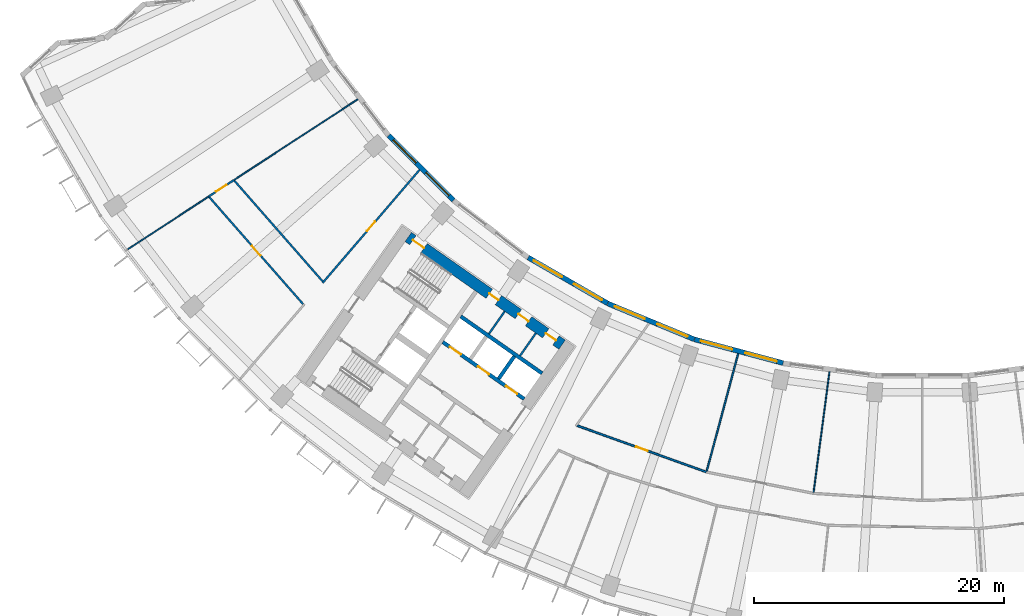
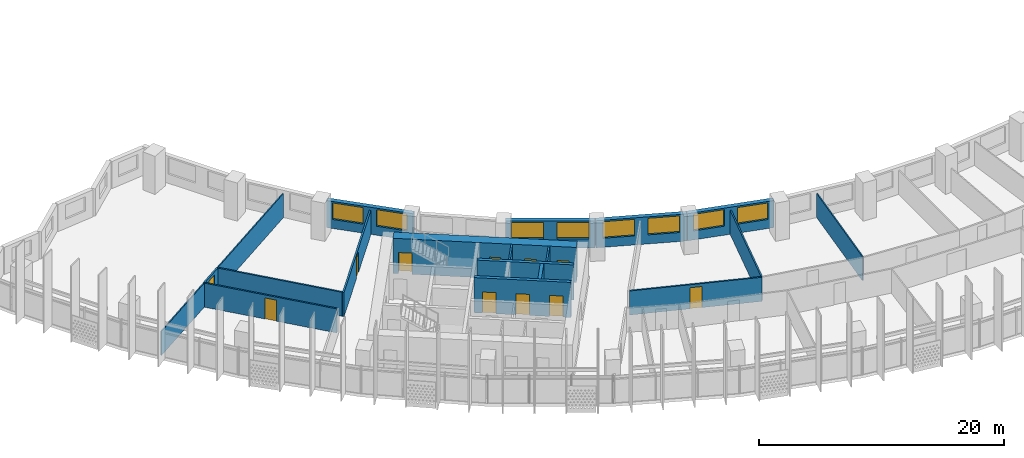
# One storey, part 4 of 30: 19 walls, 11 doors, 8 windows, 19 openings.
"""IFC4 building model written with IfcOpenShell, lengths in metres."""

from ifc_helpers import new_model, si_unit, direction, frame, frame_2d, origin, place, context, subcontext, project, spatial, rectangle, extrude, material, layer, layer_set, type_object, element, fill, save


model = new_model("IFC4")

# Units and contexts
model_context = context("Model", 3, precision=1e-05, world=origin(), true_north=direction((0.0, 1.0)))
body_context = subcontext(model_context, "Body", "Model", "MODEL_VIEW")
ifc_project = project(units=[si_unit("LENGTHUNIT", "METRE"), si_unit("AREAUNIT", "SQUARE_METRE"), si_unit("VOLUMEUNIT", "CUBIC_METRE"), si_unit("PLANEANGLEUNIT", "RADIAN"), si_unit("MASSUNIT", "GRAM", prefix="KILO")], contexts=[model_context])

# Site, building, storey
site_placement = place(None, origin())
site = spatial("IfcSite", under=ifc_project, at=site_placement, CompositionType="ELEMENT")
building_placement = place(site_placement, origin())
building = spatial("IfcBuilding", under=site, at=building_placement, Name="Qamariyya Broadcast Tower", CompositionType="ELEMENT")
storey_placement = place(building_placement, frame((0.0, 0.0, 117.699951171875)))
storey = spatial("IfcBuildingStorey", under=building, at=storey_placement, Name="L26", CompositionType="ELEMENT", Elevation=117.699951171875)

# Wall, openings, doors
ifc_material_1 = material(Name="Concrete C70/85", Category="concrete")
ifc_layer_1 = layer(ifc_material_1, 0.89990234375)
ifc_layer_set_1 = layer_set([ifc_layer_1], Name="Core wall 900 mm Concrete C70/85")
wall_type_1 = type_object("IfcWallType", Name="Core wall 900 mm Concrete C70/85", PredefinedType="SHEAR", material=ifc_layer_set_1)
wall_1_placement = place(storey_placement, frame((-28.8544921875, -54.32421875, 0.0), z_axis=(0.0, 0.0, 1.0), x_axis=(-0.819145767589, 0.573585400304, 0.0)))
wall_1 = element("IfcWall", 1, at=wall_1_placement, inside=storey, type_object=wall_type_1, Name="k-W-L26-WI", PredefinedType="SHEAR", context=body_context, shape_type="SweptSolid", body=[
    extrude(rectangle(XDim=15.04541015625, YDim=0.89990234375, at=frame_2d((7.522705078125, 0.0))), origin(), (0.0, 0.0, 1.0), 3.5),
])
opening_1_placement = place(wall_1_placement, frame((0.60009765625, 0.0, 0.0)))
opening_1 = element("IfcOpeningElement", 2, at=opening_1_placement, cuts=wall_1, Name="Opening KD7-W1", PredefinedType="OPENING", context=body_context, shape_type="SweptSolid", body=[
    extrude(rectangle(XDim=1.0, YDim=2.10009765625, at=frame_2d((0.5, 1.050048828125))), frame((0.0, 0.4599609375, 0.0), z_axis=(0.0, -1.0, 0.0), x_axis=(1.0, 0.0, 0.0)), (0.0, 0.0, 1.0), 0.919921875),
])
opening_2_placement = place(wall_1_placement, frame((3.27490234375, 0.0, 0.0)))
opening_2 = element("IfcOpeningElement", 3, at=opening_2_placement, cuts=wall_1, Name="Opening KD6-W2", PredefinedType="OPENING", context=body_context, shape_type="SweptSolid", body=[
    extrude(rectangle(XDim=1.0, YDim=2.10009765625, at=frame_2d((0.5, 1.050048828125))), frame((0.0, 0.4599609375, 0.0), z_axis=(0.0, -1.0, 0.0), x_axis=(1.0, 0.0, 0.0)), (0.0, 0.0, 1.0), 0.919921875),
])
opening_3_placement = place(wall_1_placement, frame((6.22509765625, 0.0, 0.0)))
opening_3 = element("IfcOpeningElement", 4, at=opening_3_placement, cuts=wall_1, Name="Opening KD5-W1", PredefinedType="OPENING", context=body_context, shape_type="SweptSolid", body=[
    extrude(rectangle(XDim=0.89990234375, YDim=2.10009765625, at=frame_2d((0.449951171875, 1.050048828125))), frame((0.0, 0.4599609375, 0.0), z_axis=(0.0, -1.0, 0.0), x_axis=(1.0, 0.0, 0.0)), (0.0, 0.0, 1.0), 0.919921875),
])
opening_4_placement = place(wall_1_placement, frame((13.495361328125, 0.0, 0.0)))
opening_4 = element("IfcOpeningElement", 5, at=opening_4_placement, cuts=wall_1, Name="Opening KD1-W1", PredefinedType="OPENING", context=body_context, shape_type="SweptSolid", body=[
    extrude(rectangle(XDim=1.10009765625, YDim=2.10009765625, at=frame_2d((0.550048828125, 1.050048828125))), frame((0.0, 0.4599609375, 0.0), z_axis=(0.0, -1.0, 0.0), x_axis=(1.0, 0.0, 0.0)), (0.0, 0.0, 1.0), 0.919921875),
])
ifc_material_2 = material(Name="Steel fire-resisting door leaf", Category="steel")
door_type_1 = type_object("IfcDoorType", Name="Accessible toilet door KD7", OperationType="SINGLE_SWING_LEFT", PredefinedType="DOOR", material=ifc_material_2)
door_1_placement = place(opening_1_placement, origin())
door_1 = element("IfcDoor", 6, at=door_1_placement, inside=storey, type_object=door_type_1, Name="k-W-L26-WI-D7", OperationType="SINGLE_SWING_RIGHT", OverallHeight=2.10009765625, OverallWidth=1.0, PredefinedType="DOOR", context=body_context, shape_type="SweptSolid", body=[
    extrude(rectangle(XDim=1.0, YDim=2.10009765625, at=frame_2d((0.5, 1.050048828125))), frame((0.0, 0.02490234375, 0.0), z_axis=(0.0, -1.0, 0.0), x_axis=(1.0, 0.0, 0.0)), (0.0, 0.0, 1.0), 0.050048828125),
])
fill(opening_1, door_1)
door_type_2 = type_object("IfcDoorType", Name="Core room door KD6", OperationType="SINGLE_SWING_LEFT", PredefinedType="DOOR", material=ifc_material_2)
door_2_placement = place(opening_2_placement, origin())
door_2 = element("IfcDoor", 7, at=door_2_placement, inside=storey, type_object=door_type_2, Name="k-W-L26-WI-D8", OperationType="SINGLE_SWING_LEFT", OverallHeight=2.10009765625, OverallWidth=1.0, PredefinedType="DOOR", context=body_context, shape_type="SweptSolid", body=[
    extrude(rectangle(XDim=1.0, YDim=2.10009765625, at=frame_2d((0.5, 1.050048828125))), frame((0.0, 0.02490234375, 0.0), z_axis=(0.0, -1.0, 0.0), x_axis=(1.0, 0.0, 0.0)), (0.0, 0.0, 1.0), 0.050048828125),
])
fill(opening_2, door_2)
door_type_3 = type_object("IfcDoorType", Name="Stair door KD1", OperationType="SINGLE_SWING_LEFT", PredefinedType="DOOR", material=ifc_material_2)
door_3_placement = place(opening_4_placement, origin())
door_3 = element("IfcDoor", 8, at=door_3_placement, inside=storey, type_object=door_type_3, Name="k-W-L26-WI-D16", OperationType="SINGLE_SWING_RIGHT", OverallHeight=2.10009765625, OverallWidth=1.10009765625, PredefinedType="DOOR", context=body_context, shape_type="SweptSolid", body=[
    extrude(rectangle(XDim=1.10009765625, YDim=2.10009765625, at=frame_2d((0.550048828125, 1.050048828125))), frame((0.0, 0.02490234375, 0.0), z_axis=(0.0, -1.0, 0.0), x_axis=(1.0, 0.0, 0.0)), (0.0, 0.0, 1.0), 0.050048828125),
])
fill(opening_4, door_3)
door_type_4 = type_object("IfcDoorType", Name="Toilet door KD5", OperationType="SINGLE_SWING_LEFT", PredefinedType="DOOR", material=ifc_material_2)
door_4_placement = place(opening_3_placement, origin())
door_4 = element("IfcDoor", 9, at=door_4_placement, inside=storey, type_object=door_type_4, Name="k-W-L26-WI-D9", OperationType="SINGLE_SWING_RIGHT", OverallHeight=2.10009765625, OverallWidth=0.89990234375, PredefinedType="DOOR", context=body_context, shape_type="SweptSolid", body=[
    extrude(rectangle(XDim=0.89990234375, YDim=2.10009765625, at=frame_2d((0.449951171875, 1.050048828125))), frame((0.0, 0.02490234375, 0.0), z_axis=(0.0, -1.0, 0.0), x_axis=(1.0, 0.0, 0.0)), (0.0, 0.0, 1.0), 0.050048828125),
])
fill(opening_3, door_4)

# Wall, opening, door
ifc_material_3 = material(Name="Gypsum board partition")
ifc_layer_2 = layer(ifc_material_3, 0.14990234375)
ifc_layer_set_2 = layer_set([ifc_layer_2], Name="Corridor partition 150 EI 60")
wall_type_2 = type_object("IfcWallType", Name="Corridor partition 150 EI 60", PredefinedType="PARTITIONING", material=ifc_layer_set_2)
wall_2_placement = place(storey_placement, frame((-57.16162109375, -42.44970703125, 0.0), z_axis=(0.0, 0.0, 1.0), x_axis=(0.837554034944, 0.546354498974, 0.0)))
wall_2 = element("IfcWall", 10, at=wall_2_placement, inside=storey, type_object=wall_type_2, Name="Partition L26-002", PredefinedType="PARTITIONING", context=body_context, shape_type="SweptSolid", body=[
    extrude(rectangle(XDim=2.404541015625, YDim=0.14990234375, at=frame_2d((1.2021484375, 0.0))), origin(), (0.0, 0.0, 1.0), 2.400146484375),
])
opening_5_placement = place(wall_2_placement, frame((0.702392578125, 0.0, 0.0)))
opening_5 = element("IfcOpeningElement", 11, at=opening_5_placement, cuts=wall_2, Name="Opening L26-D18", PredefinedType="OPENING", context=body_context, shape_type="SweptSolid", body=[
    extrude(rectangle(XDim=1.0, YDim=2.10009765625, at=frame_2d((0.5, 1.050048828125))), frame((0.0, 0.0849609375, 0.0), z_axis=(0.0, -1.0, 0.0), x_axis=(1.0, 0.0, 0.0)), (0.0, 0.0, 1.0), 0.169921875),
])
ifc_material_4 = material(Name="Timber fire door leaf", Category="wood")
door_type_5 = type_object("IfcDoorType", Name="Fire door 1000 x 2100 FD60", OperationType="NOTDEFINED", PredefinedType="DOOR", material=ifc_material_4)
door_5_placement = place(opening_5_placement, origin())
door_5 = element("IfcDoor", 12, at=door_5_placement, inside=storey, type_object=door_type_5, Name="Door L26-D18", OperationType="SINGLE_SWING_RIGHT", OverallHeight=2.10009765625, OverallWidth=1.0, PredefinedType="DOOR", context=body_context, shape_type="SweptSolid", body=[
    extrude(rectangle(XDim=1.0, YDim=2.10009765625, at=frame_2d((0.5, 1.050048828125))), frame((0.0, 0.02490234375, 0.0), z_axis=(0.0, -1.0, 0.0), x_axis=(1.0, 0.0, 0.0)), (0.0, 0.0, 1.0), 0.050048828125),
])
fill(opening_5, door_5)

wall_3_placement = place(storey_placement, frame((-49.59716796875, -51.075439453125, 0.0), z_axis=(0.0, 0.0, 1.0), x_axis=(-0.659347342495, 0.751838467987, 0.0)))
wall_3 = element("IfcWall", 13, at=wall_3_placement, inside=storey, type_object=wall_type_2, Name="Partition L26-004", PredefinedType="PARTITIONING", context=body_context, shape_type="SweptSolid", body=[
    extrude(rectangle(XDim=11.39794921875, YDim=0.14990234375, at=frame_2d((5.698974609375, 0.0))), origin(), (0.0, 0.0, 1.0), 2.400146484375),
])
opening_6_placement = place(wall_3_placement, frame((5.198974609375, 0.0, 0.0)))
opening_6 = element("IfcOpeningElement", 14, at=opening_6_placement, cuts=wall_3, Name="Opening L26-D17", PredefinedType="OPENING", context=body_context, shape_type="SweptSolid", body=[
    extrude(rectangle(XDim=1.0, YDim=2.10009765625, at=frame_2d((0.5, 1.050048828125))), frame((0.0, 0.0849609375, 0.0), z_axis=(0.0, -1.0, 0.0), x_axis=(1.0, 0.0, 0.0)), (0.0, 0.0, 1.0), 0.169921875),
])
door_6_placement = place(opening_6_placement, origin())
door_6 = element("IfcDoor", 15, at=door_6_placement, inside=storey, type_object=door_type_5, Name="Door L26-D17", OperationType="SINGLE_SWING_RIGHT", OverallHeight=2.10009765625, OverallWidth=1.0, PredefinedType="DOOR", context=body_context, shape_type="SweptSolid", body=[
    extrude(rectangle(XDim=1.0, YDim=2.10009765625, at=frame_2d((0.5, 1.050048828125))), frame((0.0, 0.02490234375, 0.0), z_axis=(0.0, -1.0, 0.0), x_axis=(1.0, 0.0, 0.0)), (0.0, 0.0, 1.0), 0.050048828125),
])
fill(opening_6, door_6)

# Wall
wall_4_placement = place(storey_placement, frame((-48.03173828125, -49.250244140625, 0.0), z_axis=(0.0, 0.0, 1.0), x_axis=(-0.659337984036, 0.751846675066, 0.0)))
element("IfcWall", 16, at=wall_4_placement, inside=storey, type_object=wall_type_2, Name="Partition L26-006", PredefinedType="PARTITIONING", context=body_context, shape_type="SweptSolid", body=[
    extrude(rectangle(XDim=10.717529296875, YDim=0.14990234375, at=frame_2d((5.35888671875, 0.0))), origin(), (0.0, 0.0, 1.0), 2.400146484375),
])

# Wall, opening, door
wall_5_placement = place(storey_placement, frame((-48.031005859375, -49.363525390625, 0.0), z_axis=(0.0, 0.0, 1.0), x_axis=(0.650981860867, 0.759093285982, 0.0)))
wall_5 = element("IfcWall", 17, at=wall_5_placement, inside=storey, type_object=wall_type_2, Name="Partition L26-007", PredefinedType="PARTITIONING", context=body_context, shape_type="SweptSolid", body=[
    extrude(rectangle(XDim=11.92578125, YDim=0.14990234375, at=frame_2d((5.962890625, 0.0))), origin(), (0.0, 0.0, 1.0), 2.400146484375),
])
opening_7_placement = place(wall_5_placement, frame((5.462890625, 0.0, 0.0)))
opening_7 = element("IfcOpeningElement", 18, at=opening_7_placement, cuts=wall_5, Name="Opening L26-D16", PredefinedType="OPENING", context=body_context, shape_type="SweptSolid", body=[
    extrude(rectangle(XDim=1.0, YDim=2.10009765625, at=frame_2d((0.5, 1.050048828125))), frame((0.0, 0.0849609375, 0.0), z_axis=(0.0, -1.0, 0.0), x_axis=(1.0, 0.0, 0.0)), (0.0, 0.0, 1.0), 0.169921875),
])
door_7_placement = place(opening_7_placement, origin())
door_7 = element("IfcDoor", 19, at=door_7_placement, inside=storey, type_object=door_type_5, Name="Door L26-D16", OperationType="SINGLE_SWING_RIGHT", OverallHeight=2.10009765625, OverallWidth=1.0, PredefinedType="DOOR", context=body_context, shape_type="SweptSolid", body=[
    extrude(rectangle(XDim=1.0, YDim=2.10009765625, at=frame_2d((0.5, 1.050048828125))), frame((0.0, 0.02490234375, 0.0), z_axis=(0.0, -1.0, 0.0), x_axis=(1.0, 0.0, 0.0)), (0.0, 0.0, 1.0), 0.050048828125),
])
fill(opening_7, door_7)

wall_6_placement = place(storey_placement, frame((-27.64013671875, -60.806640625, 0.0), z_axis=(0.0, 0.0, 1.0), x_axis=(0.941150861554, -0.337986768669, 0.0)))
wall_6 = element("IfcWall", 20, at=wall_6_placement, inside=storey, type_object=wall_type_2, Name="Partition L26-013", PredefinedType="PARTITIONING", context=body_context, shape_type="SweptSolid", body=[
    extrude(rectangle(XDim=10.998291015625, YDim=0.14990234375, at=frame_2d((5.4990234375, 0.0))), origin(), (0.0, 0.0, 1.0), 2.400146484375),
])
opening_8_placement = place(wall_6_placement, frame((4.9990234375, 0.0, 0.0)))
opening_8 = element("IfcOpeningElement", 21, at=opening_8_placement, cuts=wall_6, Name="Opening L26-D09", PredefinedType="OPENING", context=body_context, shape_type="SweptSolid", body=[
    extrude(rectangle(XDim=1.0, YDim=2.10009765625, at=frame_2d((0.5, 1.050048828125))), frame((0.0, 0.0849609375, 0.0), z_axis=(0.0, -1.0, 0.0), x_axis=(1.0, 0.0, 0.0)), (0.0, 0.0, 1.0), 0.169921875),
])
door_8_placement = place(opening_8_placement, origin())
door_8 = element("IfcDoor", 22, at=door_8_placement, inside=storey, type_object=door_type_5, Name="Door L26-D09", OperationType="SINGLE_SWING_RIGHT", OverallHeight=2.10009765625, OverallWidth=1.0, PredefinedType="DOOR", context=body_context, shape_type="SweptSolid", body=[
    extrude(rectangle(XDim=1.0, YDim=2.10009765625, at=frame_2d((0.5, 1.050048828125))), frame((0.0, 0.02490234375, 0.0), z_axis=(0.0, -1.0, 0.0), x_axis=(1.0, 0.0, 0.0)), (0.0, 0.0, 1.0), 0.050048828125),
])
fill(opening_8, door_8)

# Walls
ifc_material_5 = material(Name="Gypsum board partition on steel studs", Category="steel")
ifc_layer_3 = layer(ifc_material_5, 0.14990234375)
ifc_layer_set_3 = layer_set([ifc_layer_3], Name="Gypsum board partition 150 mm")
wall_type_3 = type_object("IfcWallType", Name="Gypsum board partition 150 mm", PredefinedType="PARTITIONING", material=ifc_layer_set_3)
wall_7_placement = place(storey_placement, frame((-32.2177734375, -55.204345703125, 0.0), z_axis=(0.0, 0.0, 1.0), x_axis=(0.573581496053, 0.819148501424, 0.0)))
element("IfcWall", 23, at=wall_7_placement, inside=storey, type_object=wall_type_3, Name="k-W-L26-NP225", PredefinedType="PARTITIONING", context=body_context, shape_type="SweptSolid", body=[
    extrude(rectangle(XDim=2.2001953125, YDim=0.14990234375, at=frame_2d((1.10009765625, 0.0))), origin(), (0.0, 0.0, 1.0), 3.5),
])
wall_8_placement = place(storey_placement, frame((-34.716064453125, -53.454833984375, 0.0), z_axis=(0.0, 0.0, 1.0), x_axis=(0.573507030513, 0.819200638399, 0.0)))
element("IfcWall", 24, at=wall_8_placement, inside=storey, type_object=wall_type_3, Name="k-W-L26-NP530", PredefinedType="PARTITIONING", context=body_context, shape_type="SweptSolid", body=[
    extrude(rectangle(XDim=2.199951171875, YDim=0.14990234375, at=frame_2d((1.10009765625, 0.0))), origin(), (0.0, 0.0, 1.0), 3.5),
])

# Wall, openings, doors
ifc_material_6 = material(Name="Concrete C60/75", Category="concrete")
ifc_layer_4 = layer(ifc_material_6, 0.300048828125)
ifc_layer_set_4 = layer_set([ifc_layer_4], Name="Lift shaft wall 300 mm Concrete C60/75")
wall_type_4 = type_object("IfcWallType", Name="Lift shaft wall 300 mm Concrete C60/75", PredefinedType="SOLIDWALL", material=ifc_layer_set_4)
wall_9_placement = place(storey_placement, frame((-31.89453125, -58.66552734375, 0.0), z_axis=(0.0, 0.0, 1.0), x_axis=(-0.819166993208, 0.573555086491, 0.0)))
wall_9 = element("IfcWall", 25, at=wall_9_placement, inside=storey, type_object=wall_type_4, Name="k-W-L26-NF0", PredefinedType="SOLIDWALL", context=body_context, shape_type="SweptSolid", body=[
    extrude(rectangle(XDim=7.9501953125, YDim=0.300048828125, at=frame_2d((3.97509765625, 0.0))), origin(), (0.0, 0.0, 1.0), 3.5),
])
opening_9_placement = place(wall_9_placement, frame((0.675048828125, 0.0, 0.0)))
opening_9 = element("IfcOpeningElement", 26, at=opening_9_placement, cuts=wall_9, Name="Opening LD", PredefinedType="OPENING", context=body_context, shape_type="SweptSolid", body=[
    extrude(rectangle(XDim=1.10009765625, YDim=2.10009765625, at=frame_2d((0.550048828125, 1.050048828125))), frame((0.0, 0.159912109375, 0.0), z_axis=(0.0, -1.0, 0.0), x_axis=(1.0, 0.0, 0.0)), (0.0, 0.0, 1.0), 0.320068359375),
])
opening_10_placement = place(wall_9_placement, frame((3.425048828125, 0.0, 0.0)))
opening_10 = element("IfcOpeningElement", 27, at=opening_10_placement, cuts=wall_9, Name="Opening LD", PredefinedType="OPENING", context=body_context, shape_type="SweptSolid", body=[
    extrude(rectangle(XDim=1.10009765625, YDim=2.10009765625, at=frame_2d((0.550048828125, 1.050048828125))), frame((0.0, 0.159912109375, 0.0), z_axis=(0.0, -1.0, 0.0), x_axis=(1.0, 0.0, 0.0)), (0.0, 0.0, 1.0), 0.320068359375),
])
opening_11_placement = place(wall_9_placement, frame((6.175048828125, 0.0, 0.0)))
opening_11 = element("IfcOpeningElement", 28, at=opening_11_placement, cuts=wall_9, Name="Opening LD", PredefinedType="OPENING", context=body_context, shape_type="SweptSolid", body=[
    extrude(rectangle(XDim=1.10009765625, YDim=2.10009765625, at=frame_2d((0.550048828125, 1.050048828125))), frame((0.0, 0.159912109375, 0.0), z_axis=(0.0, -1.0, 0.0), x_axis=(1.0, 0.0, 0.0)), (0.0, 0.0, 1.0), 0.320068359375),
])
door_type_6 = type_object("IfcDoorType", Name="Lift landing door LD", OperationType="DOUBLE_DOOR_SLIDING", PredefinedType="DOOR", material=ifc_material_2)
door_9_placement = place(opening_9_placement, origin())
door_9 = element("IfcDoor", 29, at=door_9_placement, inside=storey, type_object=door_type_6, Name="k-W-L26-NF0-D2", OperationType="DOUBLE_DOOR_SLIDING", OverallHeight=2.10009765625, OverallWidth=1.10009765625, PredefinedType="DOOR", context=body_context, shape_type="SweptSolid", body=[
    extrude(rectangle(XDim=1.10009765625, YDim=2.10009765625, at=frame_2d((0.550048828125, 1.050048828125))), frame((0.0, 0.02490234375, 0.0), z_axis=(0.0, -1.0, 0.0), x_axis=(1.0, 0.0, 0.0)), (0.0, 0.0, 1.0), 0.050048828125),
])
fill(opening_9, door_9)
door_10_placement = place(opening_10_placement, origin())
door_10 = element("IfcDoor", 30, at=door_10_placement, inside=storey, type_object=door_type_6, Name="k-W-L26-NF0-D3", OperationType="DOUBLE_DOOR_SLIDING", OverallHeight=2.10009765625, OverallWidth=1.10009765625, PredefinedType="DOOR", context=body_context, shape_type="SweptSolid", body=[
    extrude(rectangle(XDim=1.10009765625, YDim=2.10009765625, at=frame_2d((0.550048828125, 1.050048828125))), frame((0.0, 0.02490234375, 0.0), z_axis=(0.0, -1.0, 0.0), x_axis=(1.0, 0.0, 0.0)), (0.0, 0.0, 1.0), 0.050048828125),
])
fill(opening_10, door_10)
door_11_placement = place(opening_11_placement, origin())
door_11 = element("IfcDoor", 31, at=door_11_placement, inside=storey, type_object=door_type_6, Name="k-W-L26-NF0-D4", OperationType="DOUBLE_DOOR_SLIDING", OverallHeight=2.10009765625, OverallWidth=1.10009765625, PredefinedType="DOOR", context=body_context, shape_type="SweptSolid", body=[
    extrude(rectangle(XDim=1.10009765625, YDim=2.10009765625, at=frame_2d((0.550048828125, 1.050048828125))), frame((0.0, 0.02490234375, 0.0), z_axis=(0.0, -1.0, 0.0), x_axis=(1.0, 0.0, 0.0)), (0.0, 0.0, 1.0), 0.050048828125),
])
fill(opening_11, door_11)

# Walls
wall_10_placement = place(storey_placement, frame((-30.460693359375, -56.61767578125, 0.0), z_axis=(0.0, 0.0, 1.0), x_axis=(-0.819142461705, 0.573590121456, 0.0)))
element("IfcWall", 32, at=wall_10_placement, inside=storey, type_object=wall_type_4, Name="k-W-L26-NB0", PredefinedType="SOLIDWALL", context=body_context, shape_type="SweptSolid", body=[
    extrude(rectangle(XDim=7.949951171875, YDim=0.300048828125, at=frame_2d((3.97509765625, 0.0))), origin(), (0.0, 0.0, 1.0), 3.5),
])
wall_11_placement = place(storey_placement, frame((-33.9384765625, -57.051513671875, 0.0), z_axis=(0.0, 0.0, 1.0), x_axis=(0.573581496053, 0.819148501424, 0.0)))
element("IfcWall", 33, at=wall_11_placement, inside=storey, type_object=wall_type_4, Name="k-W-L26-ND0", PredefinedType="SOLIDWALL", context=body_context, shape_type="SweptSolid", body=[
    extrude(rectangle(XDim=2.2001953125, YDim=0.300048828125, at=frame_2d((1.10009765625, 0.0))), origin(), (0.0, 0.0, 1.0), 3.5),
])
ifc_material_7 = material(Name="Operable acoustic wall panels")
ifc_layer_5 = layer(ifc_material_7, 0.125)
ifc_layer_set_5 = layer_set([ifc_layer_5], Name="Operable acoustic partition 125")
wall_type_5 = type_object("IfcWallType", Name="Operable acoustic partition 125", PredefinedType="MOVABLE", material=ifc_layer_set_5)
wall_12_placement = place(storey_placement, frame((-14.7470703125, -55.037109375, 0.0), z_axis=(0.0, 0.0, 1.0), x_axis=(-0.258833329344, -0.965921998725, 0.0)))
element("IfcWall", 34, at=wall_12_placement, inside=storey, type_object=wall_type_5, Name="Operable partition L26-019", PredefinedType="MOVABLE", context=body_context, shape_type="SweptSolid", body=[
    extrude(rectangle(XDim=9.746337890625, YDim=0.125, at=frame_2d((4.873046875, 0.0))), origin(), (0.0, 0.0, 1.0), 2.400146484375),
])
ifc_layer_6 = layer(ifc_material_3, 0.10009765625)
ifc_layer_set_6 = layer_set([ifc_layer_6], Name="Partition 100")
wall_type_6 = type_object("IfcWallType", Name="Partition 100", PredefinedType="PARTITIONING", material=ifc_layer_set_6)
wall_13_placement = place(storey_placement, frame((-63.6630859375, -46.690673828125, 0.0), z_axis=(0.0, 0.0, 1.0), x_axis=(0.837558660213, 0.546347408433, 0.0)))
element("IfcWall", 35, at=wall_13_placement, inside=storey, type_object=wall_type_6, Name="Partition L26-001", PredefinedType="PARTITIONING", context=body_context, shape_type="SweptSolid", body=[
    extrude(rectangle(XDim=7.762451171875, YDim=0.10009765625, at=frame_2d((3.88134765625, 0.0))), origin(), (0.0, 0.0, 1.0), 2.400146484375),
])
wall_14_placement = place(storey_placement, frame((-55.147705078125, -41.135986328125, 0.0), z_axis=(0.0, 0.0, 1.0), x_axis=(0.837561412918, 0.546343188473, 0.0)))
element("IfcWall", 36, at=wall_14_placement, inside=storey, type_object=wall_type_6, Name="Partition L26-003", PredefinedType="PARTITIONING", context=body_context, shape_type="SweptSolid", body=[
    extrude(rectangle(XDim=11.850830078125, YDim=0.10009765625, at=frame_2d((5.92529296875, 0.0))), origin(), (0.0, 0.0, 1.0), 2.400146484375),
])
wall_15_placement = place(storey_placement, frame((-7.437255859375, -56.4912109375, 0.0), z_axis=(0.0, 0.0, 1.0), x_axis=(-0.13053421433, -0.99144380521, 0.0)))
element("IfcWall", 37, at=wall_15_placement, inside=storey, type_object=wall_type_6, Name="Partition L26-023", PredefinedType="PARTITIONING", context=body_context, shape_type="SweptSolid", body=[
    extrude(rectangle(XDim=9.746337890625, YDim=0.10009765625, at=frame_2d((4.873046875, 0.0))), origin(), (0.0, 0.0, 1.0), 2.400146484375),
])

# Wall, openings, windows
ifc_material_8 = material(Name="Terracotta", Category="masonry")
ifc_layer_7 = layer(ifc_material_8, 0.39990234375)
ifc_layer_set_7 = layer_set([ifc_layer_7], Name="Terracotta clad wall 400")
wall_type_7 = type_object("IfcWallType", Name="Terracotta clad wall 400", PredefinedType="SOLIDWALL", material=ifc_layer_set_7)
wall_16_placement = place(storey_placement, frame((-37.552978515625, -42.744140625, 0.0), z_axis=(0.0, 0.0, 1.0), x_axis=(-0.707106781187, 0.707106781187, 0.0)))
wall_16 = element("IfcWall", 38, at=wall_16_placement, inside=storey, type_object=wall_type_7, Name="e-wl-L26-in30", PredefinedType="SOLIDWALL", context=body_context, shape_type="SweptSolid", body=[
    extrude(rectangle(XDim=7.34130859375, YDim=0.39990234375, at=frame_2d((3.670654296875, 0.0))), origin(), (0.0, 0.0, 1.0), 2.699951171875),
])
opening_12_placement = place(wall_16_placement, frame((4.224853515625, 0.0, 0.89990234375)))
opening_12 = element("IfcOpeningElement", 39, at=opening_12_placement, cuts=wall_16, Name="Opening W1", PredefinedType="OPENING", context=body_context, shape_type="SweptSolid", body=[
    extrude(rectangle(XDim=2.60009765625, YDim=1.64990234375, at=frame_2d((1.300048828125, 0.824951171875))), frame((0.0, 0.2099609375, 0.0), z_axis=(0.0, -1.0, 0.0), x_axis=(1.0, 0.0, 0.0)), (0.0, 0.0, 1.0), 0.419921875),
])
opening_13_placement = place(wall_16_placement, frame((0.5166015625, 0.0, 0.89990234375)))
opening_13 = element("IfcOpeningElement", 40, at=opening_13_placement, cuts=wall_16, Name="Opening W1", PredefinedType="OPENING", context=body_context, shape_type="SweptSolid", body=[
    extrude(rectangle(XDim=2.60009765625, YDim=1.64990234375, at=frame_2d((1.300048828125, 0.824951171875))), frame((0.0, 0.2099609375, 0.0), z_axis=(0.0, -1.0, 0.0), x_axis=(1.0, 0.0, 0.0)), (0.0, 0.0, 1.0), 0.419921875),
])
ifc_material_9 = material(Name="Clear low-e double glazed unit in aluminium frame", Category="aluminium")
window_type = type_object("IfcWindowType", Name="Ribbon window 2600 x 1650", PartitioningType="SINGLE_PANEL", PredefinedType="WINDOW", material=ifc_material_9)
window_1_placement = place(opening_12_placement, origin())
window_1 = element("IfcWindow", 41, at=window_1_placement, inside=storey, type_object=window_type, Name="e-w-L26-in03-0", OverallHeight=1.64990234375, OverallWidth=2.60009765625, PartitioningType="SINGLE_PANEL", PredefinedType="WINDOW", context=body_context, shape_type="SweptSolid", body=[
    extrude(rectangle(XDim=2.60009765625, YDim=1.64990234375, at=frame_2d((1.300048828125, 0.824951171875))), frame((0.0, 0.030029296875, 0.0), z_axis=(0.0, -1.0, 0.0), x_axis=(1.0, 0.0, 0.0)), (0.0, 0.0, 1.0), 0.06005859375),
])
fill(opening_12, window_1)
window_2_placement = place(opening_13_placement, origin())
window_2 = element("IfcWindow", 42, at=window_2_placement, inside=storey, type_object=window_type, Name="e-w-L26-in03-1", OverallHeight=1.64990234375, OverallWidth=2.60009765625, PartitioningType="SINGLE_PANEL", PredefinedType="WINDOW", context=body_context, shape_type="SweptSolid", body=[
    extrude(rectangle(XDim=2.60009765625, YDim=1.64990234375, at=frame_2d((1.300048828125, 0.824951171875))), frame((0.0, 0.030029296875, 0.0), z_axis=(0.0, -1.0, 0.0), x_axis=(1.0, 0.0, 0.0)), (0.0, 0.0, 1.0), 0.06005859375),
])
fill(opening_13, window_2)

wall_17_placement = place(storey_placement, frame((-25.21044921875, -51.007080078125, 0.0), z_axis=(0.0, 0.0, 1.0), x_axis=(-0.866030525931, 0.499991128077, 0.0)))
wall_17 = element("IfcWall", 43, at=wall_17_placement, inside=storey, type_object=wall_type_7, Name="e-wl-L26-in50", PredefinedType="SOLIDWALL", context=body_context, shape_type="SweptSolid", body=[
    extrude(rectangle(XDim=7.341552734375, YDim=0.39990234375, at=frame_2d((3.6708984375, 0.0))), origin(), (0.0, 0.0, 1.0), 2.699951171875),
])
opening_14_placement = place(wall_17_placement, frame((4.224853515625, 0.0, 0.89990234375)))
opening_14 = element("IfcOpeningElement", 44, at=opening_14_placement, cuts=wall_17, Name="Opening W1", PredefinedType="OPENING", context=body_context, shape_type="SweptSolid", body=[
    extrude(rectangle(XDim=2.60009765625, YDim=1.64990234375, at=frame_2d((1.300048828125, 0.824951171875))), frame((0.0, 0.2099609375, 0.0), z_axis=(0.0, -1.0, 0.0), x_axis=(1.0, 0.0, 0.0)), (0.0, 0.0, 1.0), 0.419921875),
])
opening_15_placement = place(wall_17_placement, frame((0.5166015625, 0.0, 0.89990234375)))
opening_15 = element("IfcOpeningElement", 45, at=opening_15_placement, cuts=wall_17, Name="Opening W1", PredefinedType="OPENING", context=body_context, shape_type="SweptSolid", body=[
    extrude(rectangle(XDim=2.60009765625, YDim=1.64990234375, at=frame_2d((1.300048828125, 0.824951171875))), frame((0.0, 0.2099609375, 0.0), z_axis=(0.0, -1.0, 0.0), x_axis=(1.0, 0.0, 0.0)), (0.0, 0.0, 1.0), 0.419921875),
])
window_3_placement = place(opening_14_placement, origin())
window_3 = element("IfcWindow", 46, at=window_3_placement, inside=storey, type_object=window_type, Name="e-w-L26-in05-0", OverallHeight=1.64990234375, OverallWidth=2.60009765625, PartitioningType="SINGLE_PANEL", PredefinedType="WINDOW", context=body_context, shape_type="SweptSolid", body=[
    extrude(rectangle(XDim=2.60009765625, YDim=1.64990234375, at=frame_2d((1.300048828125, 0.824951171875))), frame((0.0, 0.030029296875, 0.0), z_axis=(0.0, -1.0, 0.0), x_axis=(1.0, 0.0, 0.0)), (0.0, 0.0, 1.0), 0.06005859375),
])
fill(opening_14, window_3)
window_4_placement = place(opening_15_placement, origin())
window_4 = element("IfcWindow", 47, at=window_4_placement, inside=storey, type_object=window_type, Name="e-w-L26-in05-1", OverallHeight=1.64990234375, OverallWidth=2.60009765625, PartitioningType="SINGLE_PANEL", PredefinedType="WINDOW", context=body_context, shape_type="SweptSolid", body=[
    extrude(rectangle(XDim=2.60009765625, YDim=1.64990234375, at=frame_2d((1.300048828125, 0.824951171875))), frame((0.0, 0.030029296875, 0.0), z_axis=(0.0, -1.0, 0.0), x_axis=(1.0, 0.0, 0.0)), (0.0, 0.0, 1.0), 0.06005859375),
])
fill(opening_15, window_4)

wall_18_placement = place(storey_placement, frame((-18.266845703125, -53.890380859375, 0.0), z_axis=(0.0, 0.0, 1.0), x_axis=(-0.923879826967, 0.382682721486, 0.0)))
wall_18 = element("IfcWall", 48, at=wall_18_placement, inside=storey, type_object=wall_type_7, Name="e-wl-L26-in60", PredefinedType="SOLIDWALL", context=body_context, shape_type="SweptSolid", body=[
    extrude(rectangle(XDim=7.492919921875, YDim=0.39990234375, at=frame_2d((3.74658203125, 0.0))), origin(), (0.0, 0.0, 1.0), 2.699951171875),
])
opening_16_placement = place(wall_18_placement, frame((4.300537109375, 0.0, 0.89990234375)))
opening_16 = element("IfcOpeningElement", 49, at=opening_16_placement, cuts=wall_18, Name="Opening W1", PredefinedType="OPENING", context=body_context, shape_type="SweptSolid", body=[
    extrude(rectangle(XDim=2.60009765625, YDim=1.64990234375, at=frame_2d((1.300048828125, 0.824951171875))), frame((0.0, 0.2099609375, 0.0), z_axis=(0.0, -1.0, 0.0), x_axis=(1.0, 0.0, 0.0)), (0.0, 0.0, 1.0), 0.419921875),
])
opening_17_placement = place(wall_18_placement, frame((0.59228515625, 0.0, 0.89990234375)))
opening_17 = element("IfcOpeningElement", 50, at=opening_17_placement, cuts=wall_18, Name="Opening W1", PredefinedType="OPENING", context=body_context, shape_type="SweptSolid", body=[
    extrude(rectangle(XDim=2.60009765625, YDim=1.64990234375, at=frame_2d((1.300048828125, 0.824951171875))), frame((0.0, 0.2099609375, 0.0), z_axis=(0.0, -1.0, 0.0), x_axis=(1.0, 0.0, 0.0)), (0.0, 0.0, 1.0), 0.419921875),
])
window_5_placement = place(opening_16_placement, origin())
window_5 = element("IfcWindow", 51, at=window_5_placement, inside=storey, type_object=window_type, Name="e-w-L26-in06-0", OverallHeight=1.64990234375, OverallWidth=2.60009765625, PartitioningType="SINGLE_PANEL", PredefinedType="WINDOW", context=body_context, shape_type="SweptSolid", body=[
    extrude(rectangle(XDim=2.60009765625, YDim=1.64990234375, at=frame_2d((1.300048828125, 0.824951171875))), frame((0.0, 0.030029296875, 0.0), z_axis=(0.0, -1.0, 0.0), x_axis=(1.0, 0.0, 0.0)), (0.0, 0.0, 1.0), 0.06005859375),
])
fill(opening_16, window_5)
window_6_placement = place(opening_17_placement, origin())
window_6 = element("IfcWindow", 52, at=window_6_placement, inside=storey, type_object=window_type, Name="e-w-L26-in06-1", OverallHeight=1.64990234375, OverallWidth=2.60009765625, PartitioningType="SINGLE_PANEL", PredefinedType="WINDOW", context=body_context, shape_type="SweptSolid", body=[
    extrude(rectangle(XDim=2.60009765625, YDim=1.64990234375, at=frame_2d((1.300048828125, 0.824951171875))), frame((0.0, 0.030029296875, 0.0), z_axis=(0.0, -1.0, 0.0), x_axis=(1.0, 0.0, 0.0)), (0.0, 0.0, 1.0), 0.06005859375),
])
fill(opening_17, window_6)

wall_19_placement = place(storey_placement, frame((-11.149658203125, -55.7939453125, 0.0), z_axis=(0.0, 0.0, 1.0), x_axis=(-0.965924597867, 0.258823629594, 0.0)))
wall_19 = element("IfcWall", 53, at=wall_19_placement, inside=storey, type_object=wall_type_7, Name="e-wl-L26-in70", PredefinedType="SOLIDWALL", context=body_context, shape_type="SweptSolid", body=[
    extrude(rectangle(XDim=7.341552734375, YDim=0.39990234375, at=frame_2d((3.6708984375, 0.0))), origin(), (0.0, 0.0, 1.0), 2.699951171875),
])
opening_18_placement = place(wall_19_placement, frame((4.224853515625, 0.0, 0.89990234375)))
opening_18 = element("IfcOpeningElement", 54, at=opening_18_placement, cuts=wall_19, Name="Opening W1", PredefinedType="OPENING", context=body_context, shape_type="SweptSolid", body=[
    extrude(rectangle(XDim=2.60009765625, YDim=1.64990234375, at=frame_2d((1.300048828125, 0.824951171875))), frame((0.0, 0.2099609375, 0.0), z_axis=(0.0, -1.0, 0.0), x_axis=(1.0, 0.0, 0.0)), (0.0, 0.0, 1.0), 0.419921875),
])
opening_19_placement = place(wall_19_placement, frame((0.5166015625, 0.0, 0.89990234375)))
opening_19 = element("IfcOpeningElement", 55, at=opening_19_placement, cuts=wall_19, Name="Opening W1", PredefinedType="OPENING", context=body_context, shape_type="SweptSolid", body=[
    extrude(rectangle(XDim=2.60009765625, YDim=1.64990234375, at=frame_2d((1.300048828125, 0.824951171875))), frame((0.0, 0.2099609375, 0.0), z_axis=(0.0, -1.0, 0.0), x_axis=(1.0, 0.0, 0.0)), (0.0, 0.0, 1.0), 0.419921875),
])
window_7_placement = place(opening_18_placement, origin())
window_7 = element("IfcWindow", 56, at=window_7_placement, inside=storey, type_object=window_type, Name="e-w-L26-in07-0", OverallHeight=1.64990234375, OverallWidth=2.60009765625, PartitioningType="SINGLE_PANEL", PredefinedType="WINDOW", context=body_context, shape_type="SweptSolid", body=[
    extrude(rectangle(XDim=2.60009765625, YDim=1.64990234375, at=frame_2d((1.300048828125, 0.824951171875))), frame((0.0, 0.030029296875, 0.0), z_axis=(0.0, -1.0, 0.0), x_axis=(1.0, 0.0, 0.0)), (0.0, 0.0, 1.0), 0.06005859375),
])
fill(opening_18, window_7)
window_8_placement = place(opening_19_placement, origin())
window_8 = element("IfcWindow", 57, at=window_8_placement, inside=storey, type_object=window_type, Name="e-w-L26-in07-1", OverallHeight=1.64990234375, OverallWidth=2.60009765625, PartitioningType="SINGLE_PANEL", PredefinedType="WINDOW", context=body_context, shape_type="SweptSolid", body=[
    extrude(rectangle(XDim=2.60009765625, YDim=1.64990234375, at=frame_2d((1.300048828125, 0.824951171875))), frame((0.0, 0.030029296875, 0.0), z_axis=(0.0, -1.0, 0.0), x_axis=(1.0, 0.0, 0.0)), (0.0, 0.0, 1.0), 0.06005859375),
])
fill(opening_19, window_8)

save(model, "model.ifc")
